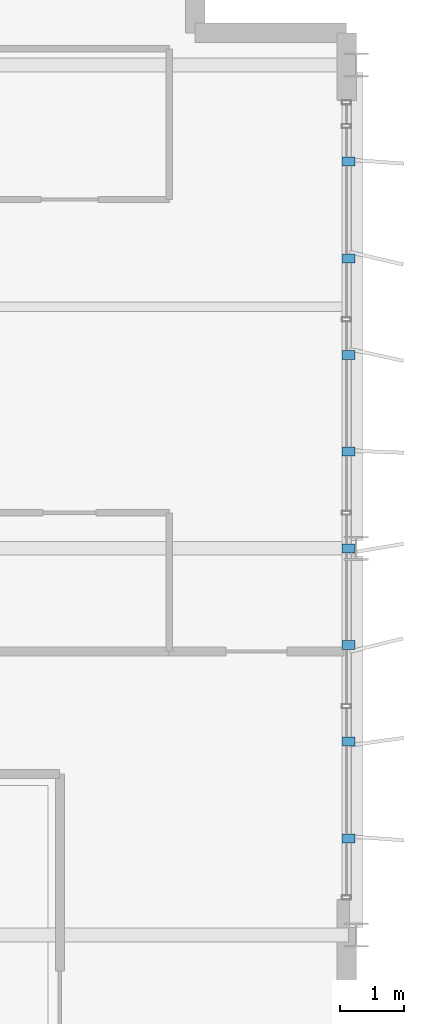
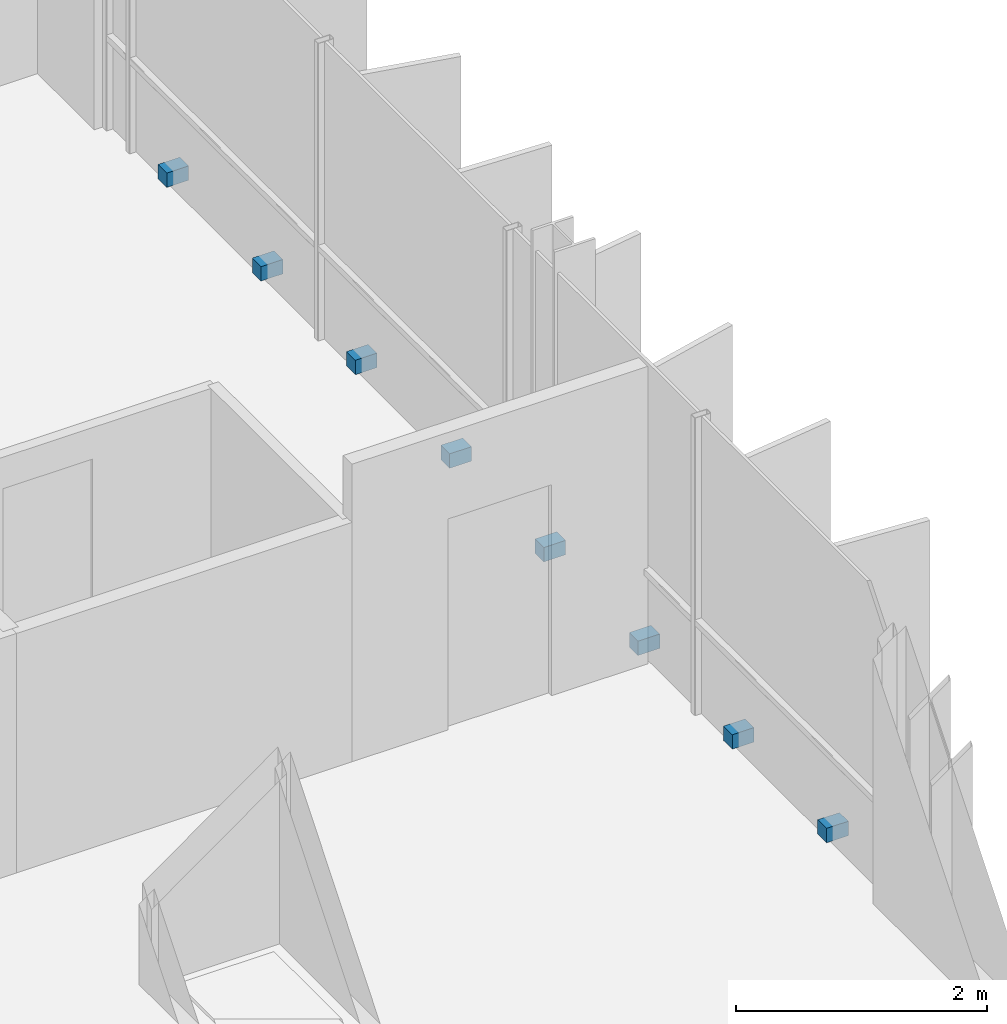
# One storey, part 28 of 30: 8 discrete accessories.
"""IFC4 building model written with IfcOpenShell, lengths in metres."""

from ifc_helpers import new_model, si_unit, direction, frame, origin, origin_2d, place, context, subcontext, project, spatial, rectangle, extrude, material, type_object, element, save


model = new_model("IFC4")

# Units and contexts
model_context = context("Model", 3, precision=1e-05, world=origin(), true_north=direction((0.0, 1.0)))
body_context = subcontext(model_context, "Body", "Model", "MODEL_VIEW")
ifc_project = project(units=[si_unit("LENGTHUNIT", "METRE"), si_unit("AREAUNIT", "SQUARE_METRE"), si_unit("VOLUMEUNIT", "CUBIC_METRE"), si_unit("PLANEANGLEUNIT", "RADIAN"), si_unit("MASSUNIT", "GRAM", prefix="KILO")], contexts=[model_context])

# Site, building, storey
site_placement = place(None, origin())
site = spatial("IfcSite", under=ifc_project, at=site_placement, CompositionType="ELEMENT")
building_placement = place(site_placement, origin())
building = spatial("IfcBuilding", under=site, at=building_placement, Name="Brevholm Reach", CompositionType="ELEMENT")
storey_placement = place(building_placement, frame((0.0, 0.0, 204.89990234375)))
storey = spatial("IfcBuildingStorey", under=building, at=storey_placement, Name="L62", CompositionType="ELEMENT", Elevation=204.89990234375)

# Discrete accessories
ifc_material = material(Name="Duplex Stainless Steel EN 1.4462", Category="steel")
discrete_accessory_type = type_object("IfcDiscreteAccessoryType", Name="ACC-BRK-01", PredefinedType="BRACKET", material=ifc_material)
for number, where, z_axis, x_axis, name in (
    (1, (59.8798828125, 11.5, 0.0302734375), (0.0, 0.0, 1.0), (1.0, 0.0, 0.0), "L62 Solar Screen Support Bracket 1"),
    (2, (59.8798828125, 13.0, 0.0302734375), (0.0, 0.0, 1.0), (1.0, 0.0, 0.0), "L62 Solar Screen Support Bracket 2"),
    (3, (59.8798828125, 14.5, 0.0302734375), (0.0, 0.0, 1.0), (1.0, 0.0, 0.0), "L62 Solar Screen Support Bracket 3"),
    (4, (59.8798828125, 16.0, 0.0302734375), (0.0, 0.0, 1.0), (1.0, 0.0, 0.0), "L62 Solar Screen Support Bracket 4"),
    (5, (59.8798828125, 17.5, 0.0302734375), (0.0, 0.0, 1.0), (1.0, 0.0, 0.0), "L62 Solar Screen Support Bracket 5"),
    (6, (59.8798828125, 19.0, 0.0302734375), (0.0, 0.0, 1.0), (1.0, 0.0, 0.0), "L62 Solar Screen Support Bracket 6"),
    (7, (59.8798828125, 20.5, 0.0302734375), (0.0, 0.0, 1.0), (1.0, 0.0, 0.0), "L62 Solar Screen Support Bracket 7"),
    (8, (59.8798828125, 22.0, 0.0302734375), (0.0, 0.0, 1.0), (1.0, 0.0, 0.0), "L62 Solar Screen Support Bracket 8"),
):
    element("IfcDiscreteAccessory", number, at=place(storey_placement, frame(where, z_axis=z_axis, x_axis=x_axis)), inside=storey, type_object=discrete_accessory_type, Name=name, PredefinedType="BRACKET", context=body_context, shape_type="SweptSolid", body=[
        extrude(rectangle(XDim=0.199951171875, YDim=0.139892578125, at=origin_2d()), origin(), (0.0, 0.0, 1.0), 0.139892578125),
    ])

save(model, "model.ifc")
